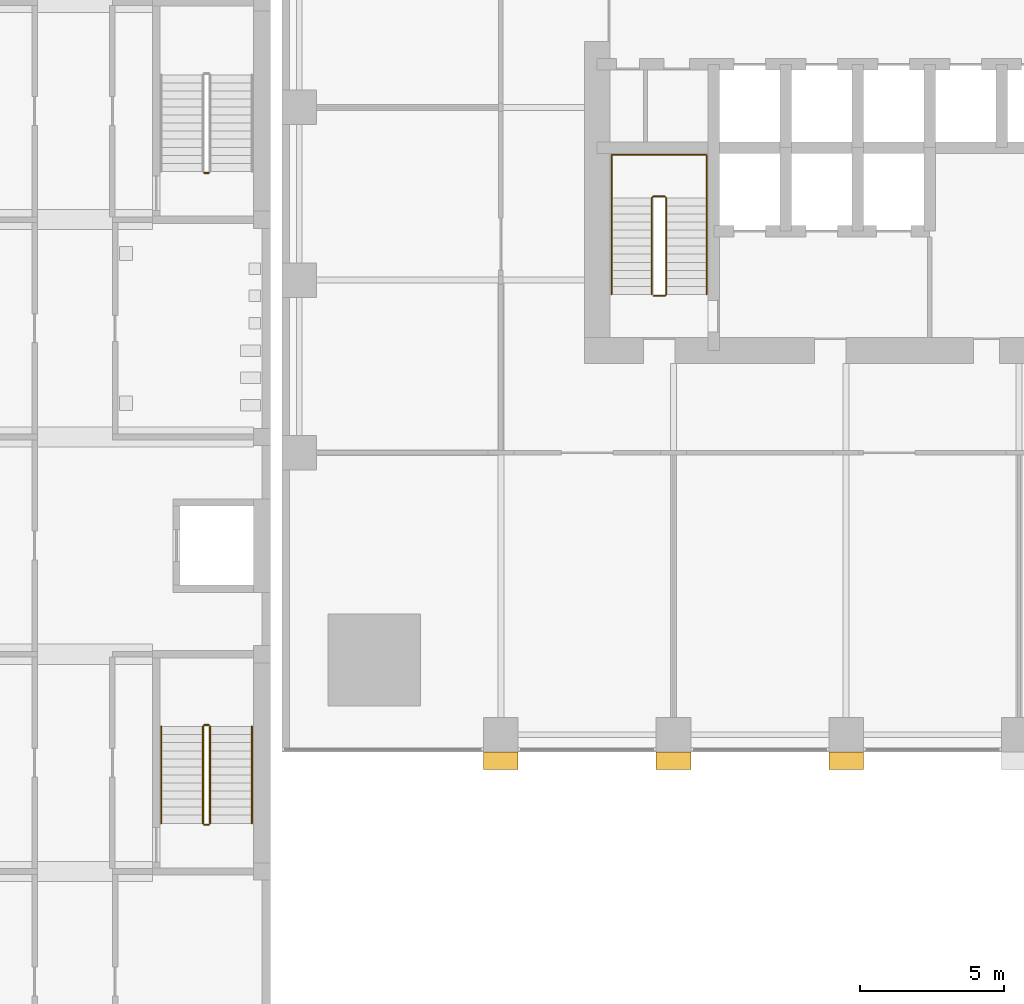
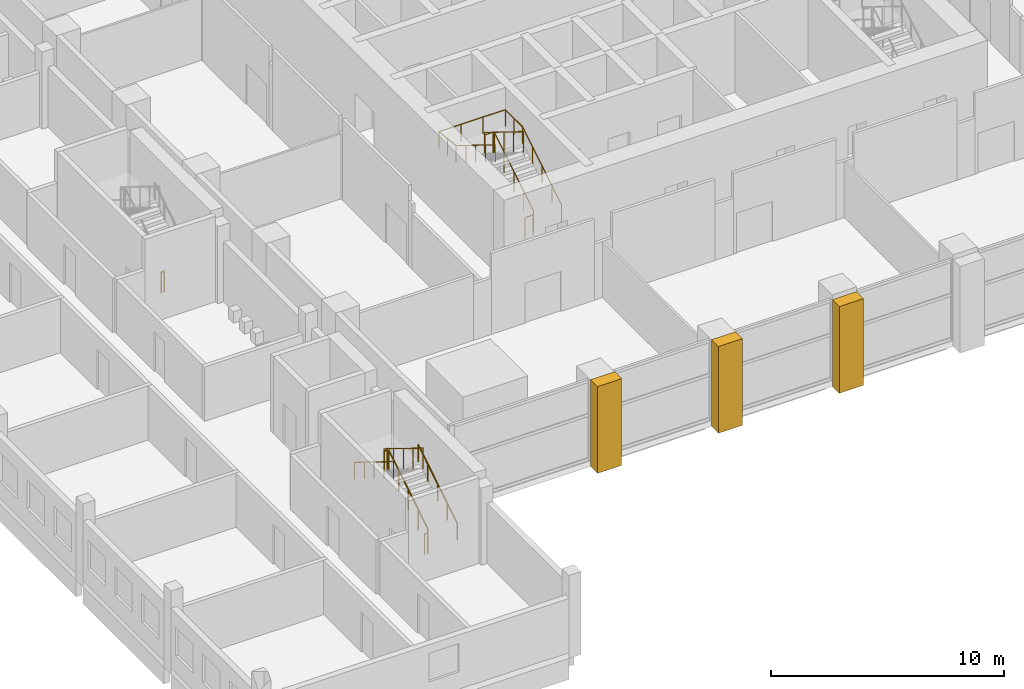
# One storey, part 19 of 24: 9 railings, 3 coverings.
"""IFC4 building model written with IfcOpenShell, lengths in metres."""

from ifc_helpers import new_model, si_unit, direction, frame, origin, origin_2d, place, context, subcontext, project, spatial, polyline, circle, outline, extrude, material, layer, layer_set, type_object, element, save


model = new_model("IFC4")

# Units and contexts
model_context = context("Model", 3, precision=1e-05, world=origin(), true_north=direction((0.0, 1.0)))
body_context = subcontext(model_context, "Body", "Model", "MODEL_VIEW")
ifc_project = project(units=[si_unit("LENGTHUNIT", "METRE"), si_unit("AREAUNIT", "SQUARE_METRE"), si_unit("VOLUMEUNIT", "CUBIC_METRE"), si_unit("PLANEANGLEUNIT", "RADIAN"), si_unit("MASSUNIT", "GRAM", prefix="KILO")], contexts=[model_context])

# Site, building, storey
site_placement = place(None, origin())
site = spatial("IfcSite", under=ifc_project, at=site_placement, CompositionType="ELEMENT")
building_placement = place(site_placement, origin())
building = spatial("IfcBuilding", under=site, at=building_placement, Name="Amberfall Residences", CompositionType="ELEMENT")
storey_placement = place(building_placement, frame((0.0, 0.0, 19.0)))
storey = spatial("IfcBuildingStorey", under=building, at=storey_placement, Name="L04", CompositionType="ELEMENT", Elevation=19.0)

# Coverings
ifc_material_1 = material(Name="Pale stone cladding on insulated backing", Category="masonry")
ifc_layer = layer(ifc_material_1, 1.199951171875)
ifc_layer_set = layer_set([ifc_layer], Name="Podium stone pier 1200 x 600")
covering_type = type_object("IfcCoveringType", Name="Podium stone pier 1200 x 600", PredefinedType="CLADDING", material=ifc_layer_set)
covering_1_placement = place(storey_placement, frame((0.0, 0.0, -0.300048828125)))
element("IfcCovering", 1, at=covering_1_placement, inside=storey, type_object=covering_type, Name="Podium pier L04 S1", PredefinedType="CLADDING", context=body_context, shape_type="SweptSolid", body=[
    extrude(outline(polyline([(59.0, 20.0), (60.199951171875, 20.0), (60.199951171875, 19.39990234375), (59.0, 19.39990234375), (59.0, 20.0)])), origin(), (0.0, 0.0, 1.0), 4.550048828125),
])
covering_2_placement = place(storey_placement, frame((0.0, 0.0, -0.300048828125)))
element("IfcCovering", 2, at=covering_2_placement, inside=storey, type_object=covering_type, Name="Podium pier L04 S2", PredefinedType="CLADDING", context=body_context, shape_type="SweptSolid", body=[
    extrude(outline(polyline([(65.0, 20.0), (66.199951171875, 20.0), (66.199951171875, 19.39990234375), (65.0, 19.39990234375), (65.0, 20.0)])), origin(), (0.0, 0.0, 1.0), 4.550048828125),
])
covering_3_placement = place(storey_placement, frame((0.0, 0.0, -0.300048828125)))
element("IfcCovering", 3, at=covering_3_placement, inside=storey, type_object=covering_type, Name="Podium pier L04 S3", PredefinedType="CLADDING", context=body_context, shape_type="SweptSolid", body=[
    extrude(outline(polyline([(71.0, 20.0), (72.199951171875, 20.0), (72.199951171875, 19.39990234375), (71.0, 19.39990234375), (71.0, 20.0)])), origin(), (0.0, 0.0, 1.0), 4.550048828125),
])

# Railings
ifc_material_2 = material(Name="Stainless steel", Category="steel")
railing_type_1 = type_object("IfcRailingType", Name="School stair guard 1100", PredefinedType="GUARDRAIL", material=ifc_material_2)
railing_1_placement = place(storey_placement, frame((49.5, 17.52490234375, 0.173095703125)))
element("IfcRailing", 4, at=railing_1_placement, inside=storey, type_object=railing_type_1, Name="L04 SS1 stair guard 1", PredefinedType="GUARDRAIL", context=body_context, shape_type="SweptSolid", body=[
    extrude(circle(Radius=0.02392578125, at=origin_2d()), frame((0.0, 0.0, 1.076171875), z_axis=(0.0, 0.850623216509, 0.525775754039), x_axis=(-1.0, 0.0, 0.0)), (0.0, 0.0, 1.0), 3.9501953125),
    extrude(circle(Radius=0.02099609375, at=origin_2d()), origin(), (0.0, 0.0, 1.0), 1.052001953125),
    extrude(circle(Radius=0.02099609375, at=origin_2d()), frame((0.0, 0.840087890625, 0.519287109375)), (0.0, 0.0, 1.0), 1.052001953125),
    extrude(circle(Radius=0.02099609375, at=origin_2d()), frame((0.0, 1.68017578125, 1.03857421875)), (0.0, 0.0, 1.0), 1.052001953125),
    extrude(circle(Radius=0.02099609375, at=origin_2d()), frame((0.0, 2.52001953125, 1.5576171875)), (0.0, 0.0, 1.0), 1.052001953125),
    extrude(circle(Radius=0.02099609375, at=origin_2d()), frame((0.0, 3.360107421875, 2.076904296875)), (0.0, 0.0, 1.0), 1.052001953125),
])
railing_2_placement = place(storey_placement, frame((49.449951171875, 20.93505859375, 2.25)))
element("IfcRailing", 5, at=railing_2_placement, inside=storey, type_object=railing_type_1, Name="L04 SS1 stair guard 2", PredefinedType="GUARDRAIL", context=body_context, shape_type="SweptSolid", body=[
    extrude(circle(Radius=0.02392578125, at=origin_2d()), frame((0.0, 0.0, 1.076171875), z_axis=(-1.0, 0.0, 0.0), x_axis=(0.0, -1.0, 0.0)), (0.0, 0.0, 1.0), 0.14990234375),
    extrude(circle(Radius=0.02099609375, at=origin_2d()), origin(), (0.0, 0.0, 1.0), 1.052001953125),
    extrude(circle(Radius=0.02099609375, at=origin_2d()), frame((-0.14990234375, 0.0, 0.0)), (0.0, 0.0, 1.0), 1.052001953125),
])
railing_3_placement = place(storey_placement, frame((49.25, 20.885009765625, 2.423095703125)))
element("IfcRailing", 6, at=railing_3_placement, inside=storey, type_object=railing_type_1, Name="L04 SS1 stair guard 3", PredefinedType="GUARDRAIL", context=body_context, shape_type="SweptSolid", body=[
    extrude(circle(Radius=0.02392578125, at=origin_2d()), frame((0.0, 0.0, 1.076171875), z_axis=(0.0, -0.850623216509, 0.525775754039), x_axis=(1.0, 0.0, 0.0)), (0.0, 0.0, 1.0), 3.9501953125),
    extrude(circle(Radius=0.02099609375, at=origin_2d()), origin(), (0.0, 0.0, 1.0), 1.052001953125),
    extrude(circle(Radius=0.02099609375, at=origin_2d()), frame((0.0, -0.840087890625, 0.519287109375)), (0.0, 0.0, 1.0), 1.052001953125),
    extrude(circle(Radius=0.02099609375, at=origin_2d()), frame((0.0, -1.68017578125, 1.03857421875)), (0.0, 0.0, 1.0), 1.052001953125),
    extrude(circle(Radius=0.02099609375, at=origin_2d()), frame((0.0, -2.52001953125, 1.5576171875)), (0.0, 0.0, 1.0), 1.052001953125),
    extrude(circle(Radius=0.02099609375, at=origin_2d()), frame((0.0, -3.360107421875, 2.076904296875)), (0.0, 0.0, 1.0), 1.052001953125),
])
for number, where, name in (
    (7, (49.449951171875, 17.47509765625, 0.0), "L04 SS1 stair guard 4"),
    (8, (49.449951171875, 40.125, 0.0), "L04 SS2 stair guard 4"),
):
    element("IfcRailing", number, at=place(storey_placement, frame(where)), inside=storey, type_object=railing_type_1, Name=name, PredefinedType="GUARDRAIL", context=body_context, shape_type="SweptSolid", body=[
        extrude(circle(Radius=0.02392578125, at=origin_2d()), frame((0.0, 0.0, 1.076171875), z_axis=(-1.0, 0.0, 0.0), x_axis=(0.0, -1.0, 0.0)), (0.0, 0.0, 1.0), 0.14990234375),
        extrude(circle(Radius=0.02099609375, at=origin_2d()), origin(), (0.0, 0.0, 1.0), 1.052001953125),
        extrude(circle(Radius=0.02099609375, at=origin_2d()), frame((-0.14990234375, 0.0, 0.0)), (0.0, 0.0, 1.0), 1.052001953125),
    ])
railing_type_2 = type_object("IfcRailingType", Name="School stair handrail", PredefinedType="HANDRAIL", material=ifc_material_2)
railing_4_placement = place(storey_placement, frame((50.949951171875, 17.52490234375, 0.173095703125)))
element("IfcRailing", 9, at=railing_4_placement, inside=storey, type_object=railing_type_2, Name="L04 SS1 stair handrail 1", PredefinedType="HANDRAIL", context=body_context, shape_type="SweptSolid", body=[
    extrude(circle(Radius=0.02392578125, at=origin_2d()), frame((0.0, 0.0, 0.8759765625), z_axis=(0.0, 0.850623216509, 0.525775754039), x_axis=(-1.0, 0.0, 0.0)), (0.0, 0.0, 1.0), 3.9501953125),
    extrude(circle(Radius=0.02099609375, at=origin_2d()), origin(), (0.0, 0.0, 1.0), 0.851806640625),
    extrude(circle(Radius=0.02099609375, at=origin_2d()), frame((0.0, 0.840087890625, 0.519287109375)), (0.0, 0.0, 1.0), 0.851806640625),
    extrude(circle(Radius=0.02099609375, at=origin_2d()), frame((0.0, 1.68017578125, 1.03857421875)), (0.0, 0.0, 1.0), 0.851806640625),
    extrude(circle(Radius=0.02099609375, at=origin_2d()), frame((0.0, 2.52001953125, 1.5576171875)), (0.0, 0.0, 1.0), 0.851806640625),
    extrude(circle(Radius=0.02099609375, at=origin_2d()), frame((0.0, 3.360107421875, 2.076904296875)), (0.0, 0.0, 1.0), 0.851806640625),
])
railing_5_placement = place(storey_placement, frame((47.800048828125, 20.885009765625, 2.423095703125)))
element("IfcRailing", 10, at=railing_5_placement, inside=storey, type_object=railing_type_2, Name="L04 SS1 stair handrail 2", PredefinedType="HANDRAIL", context=body_context, shape_type="SweptSolid", body=[
    extrude(circle(Radius=0.02392578125, at=origin_2d()), frame((0.0, 0.0, 0.8759765625), z_axis=(0.0, -0.850623216509, 0.525775754039), x_axis=(1.0, 0.0, 0.0)), (0.0, 0.0, 1.0), 3.9501953125),
    extrude(circle(Radius=0.02099609375, at=origin_2d()), origin(), (0.0, 0.0, 1.0), 0.851806640625),
    extrude(circle(Radius=0.02099609375, at=origin_2d()), frame((0.0, -0.840087890625, 0.519287109375)), (0.0, 0.0, 1.0), 0.851806640625),
    extrude(circle(Radius=0.02099609375, at=origin_2d()), frame((0.0, -1.68017578125, 1.03857421875)), (0.0, 0.0, 1.0), 0.851806640625),
    extrude(circle(Radius=0.02099609375, at=origin_2d()), frame((0.0, -2.52001953125, 1.5576171875)), (0.0, 0.0, 1.0), 0.851806640625),
    extrude(circle(Radius=0.02099609375, at=origin_2d()), frame((0.0, -3.360107421875, 2.076904296875)), (0.0, 0.0, 1.0), 0.851806640625),
])
ifc_material_3 = material(Name="Stainless steel 316", Category="steel")
railing_type_3 = type_object("IfcRailingType", Name="Stair guard 1100", PredefinedType="GUARDRAIL", material=ifc_material_3)
railing_6_placement = place(storey_placement, frame((64.89990234375, 35.85009765625, 0.0)))
element("IfcRailing", 11, at=railing_6_placement, inside=storey, type_object=railing_type_3, Name="L04 stair 1 guard", PredefinedType="GUARDRAIL", context=body_context, shape_type="SweptSolid", body=[
    extrude(circle(Radius=0.02392578125, at=origin_2d()), frame((0.0, 0.0, 1.076171875), z_axis=(1.0, 0.0, 0.0), x_axis=(0.0, 1.0, 0.0)), (0.0, 0.0, 1.0), 0.400146484375),
    extrude(circle(Radius=0.02392578125, at=origin_2d()), frame((0.400146484375, 0.0, 1.076171875), z_axis=(0.267723051232, 0.266417085129, 0.925929967433), x_axis=(-0.705375805398, 0.708833529934, 0.0)), (0.0, 0.0, 1.0), 0.18701171875),
    extrude(circle(Radius=0.02392578125, at=origin_2d()), frame((0.4501953125, 0.0498046875, 1.2490234375), z_axis=(0.0, 0.850623216509, 0.525775754039), x_axis=(-1.0, 0.0, 0.0)), (0.0, 0.0, 1.0), 3.9501953125),
    extrude(circle(Radius=0.02392578125, at=origin_2d()), frame((0.4501953125, 3.409912109375, 3.326171875), z_axis=(-0.707106781187, 0.707106781187, 0.0), x_axis=(-0.707106781187, -0.707106781187, 0.0)), (0.0, 0.0, 1.0), 0.07080078125),
    extrude(circle(Radius=0.02392578125, at=origin_2d()), frame((0.400146484375, 3.4599609375, 3.326171875), z_axis=(-1.0, 0.0, 0.0), x_axis=(0.0, -1.0, 0.0)), (0.0, 0.0, 1.0), 0.400146484375),
    extrude(circle(Radius=0.02392578125, at=origin_2d()), frame((0.0, 3.4599609375, 3.326171875), z_axis=(-0.266417085129, -0.267723051232, 0.925929967433), x_axis=(0.708833529934, -0.705375805398, 0.0)), (0.0, 0.0, 1.0), 0.18701171875),
    extrude(circle(Radius=0.02392578125, at=origin_2d()), frame((-0.0498046875, 3.409912109375, 3.4990234375), z_axis=(0.0, -0.850623216509, 0.525775754039), x_axis=(1.0, 0.0, 0.0)), (0.0, 0.0, 1.0), 3.9501953125),
    extrude(circle(Radius=0.02099609375, at=origin_2d()), origin(), (0.0, 0.0, 1.0), 1.052001953125),
    extrude(circle(Radius=0.02099609375, at=origin_2d()), frame((0.400146484375, 0.0, 0.0)), (0.0, 0.0, 1.0), 1.052001953125),
    extrude(circle(Radius=0.02099609375, at=origin_2d()), frame((0.4501953125, 0.0498046875, 0.173095703125)), (0.0, 0.0, 1.0), 1.052001953125),
    extrude(circle(Radius=0.02099609375, at=origin_2d()), frame((0.4501953125, 0.889892578125, 0.6923828125)), (0.0, 0.0, 1.0), 1.052001953125),
    extrude(circle(Radius=0.02099609375, at=origin_2d()), frame((0.4501953125, 1.72998046875, 1.21142578125)), (0.0, 0.0, 1.0), 1.052001953125),
    extrude(circle(Radius=0.02099609375, at=origin_2d()), frame((0.4501953125, 2.56982421875, 1.730712890625)), (0.0, 0.0, 1.0), 1.052001953125),
    extrude(circle(Radius=0.02099609375, at=origin_2d()), frame((0.4501953125, 3.409912109375, 2.25)), (0.0, 0.0, 1.0), 1.052001953125),
    extrude(circle(Radius=0.02099609375, at=origin_2d()), frame((0.400146484375, 3.4599609375, 2.25)), (0.0, 0.0, 1.0), 1.052001953125),
    extrude(circle(Radius=0.02099609375, at=origin_2d()), frame((0.0, 3.4599609375, 2.25)), (0.0, 0.0, 1.0), 1.052001953125),
    extrude(circle(Radius=0.02099609375, at=origin_2d()), frame((-0.0498046875, 3.409912109375, 2.423095703125)), (0.0, 0.0, 1.0), 1.052001953125),
    extrude(circle(Radius=0.02099609375, at=origin_2d()), frame((-0.0498046875, 2.56982421875, 2.9423828125)), (0.0, 0.0, 1.0), 1.052001953125),
    extrude(circle(Radius=0.02099609375, at=origin_2d()), frame((-0.0498046875, 1.72998046875, 3.46142578125)), (0.0, 0.0, 1.0), 1.052001953125),
    extrude(circle(Radius=0.02099609375, at=origin_2d()), frame((-0.0498046875, 0.889892578125, 3.980712890625)), (0.0, 0.0, 1.0), 1.052001953125),
    extrude(circle(Radius=0.02099609375, at=origin_2d()), frame((-0.0498046875, 0.0498046875, 4.5)), (0.0, 0.0, 1.0), 1.052001953125),
])
railing_type_4 = type_object("IfcRailingType", Name="Stair handrail 900", PredefinedType="HANDRAIL", material=ifc_material_3)
railing_7_placement = place(storey_placement, frame((66.75, 35.89990234375, 0.173095703125)))
element("IfcRailing", 12, at=railing_7_placement, inside=storey, type_object=railing_type_4, Name="L04 stair 1 handrail", PredefinedType="HANDRAIL", context=body_context, shape_type="SweptSolid", body=[
    extrude(circle(Radius=0.02392578125, at=origin_2d()), frame((0.0, 0.0, 0.8759765625), z_axis=(0.0, 0.850623216509, 0.525775754039), x_axis=(-1.0, 0.0, 0.0)), (0.0, 0.0, 1.0), 3.9501953125),
    extrude(circle(Radius=0.02392578125, at=origin_2d()), frame((0.0, 3.360107421875, 2.95263671875), z_axis=(0.0, 1.0, 0.0), x_axis=(-1.0, 0.0, 0.0)), (0.0, 0.0, 1.0), 1.489990234375),
    extrude(circle(Radius=0.02392578125, at=origin_2d()), frame((0.0, 4.85009765625, 2.95263671875), z_axis=(-1.0, 0.0, 0.0), x_axis=(0.0, -1.0, 0.0)), (0.0, 0.0, 1.0), 3.300048828125),
    extrude(circle(Radius=0.02392578125, at=origin_2d()), frame((-3.300048828125, 4.85009765625, 2.95263671875), z_axis=(0.0, -0.993319533971, 0.115396288642), x_axis=(1.0, 0.0, 0.0)), (0.0, 0.0, 1.0), 1.5),
    extrude(circle(Radius=0.02392578125, at=origin_2d()), frame((-3.300048828125, 3.360107421875, 3.1259765625), z_axis=(0.0, -0.850623216509, 0.525775754039), x_axis=(1.0, 0.0, 0.0)), (0.0, 0.0, 1.0), 3.9501953125),
    extrude(circle(Radius=0.02099609375, at=origin_2d()), origin(), (0.0, 0.0, 1.0), 0.851806640625),
    extrude(circle(Radius=0.02099609375, at=origin_2d()), frame((0.0, 0.840087890625, 0.519287109375)), (0.0, 0.0, 1.0), 0.851806640625),
    extrude(circle(Radius=0.02099609375, at=origin_2d()), frame((0.0, 1.68017578125, 1.03857421875)), (0.0, 0.0, 1.0), 0.851806640625),
    extrude(circle(Radius=0.02099609375, at=origin_2d()), frame((0.0, 2.52001953125, 1.5576171875)), (0.0, 0.0, 1.0), 0.851806640625),
    extrude(circle(Radius=0.02099609375, at=origin_2d()), frame((0.0, 3.360107421875, 2.076904296875)), (0.0, 0.0, 1.0), 0.851806640625),
    extrude(circle(Radius=0.02099609375, at=origin_2d()), frame((0.0, 4.10498046875, 2.076904296875)), (0.0, 0.0, 1.0), 0.851806640625),
    extrude(circle(Radius=0.02099609375, at=origin_2d()), frame((0.0, 4.85009765625, 2.076904296875)), (0.0, 0.0, 1.0), 0.851806640625),
    extrude(circle(Radius=0.02099609375, at=origin_2d()), frame((-1.10009765625, 4.85009765625, 2.076904296875)), (0.0, 0.0, 1.0), 0.851806640625),
    extrude(circle(Radius=0.02099609375, at=origin_2d()), frame((-2.199951171875, 4.85009765625, 2.076904296875)), (0.0, 0.0, 1.0), 0.851806640625),
    extrude(circle(Radius=0.02099609375, at=origin_2d()), frame((-3.300048828125, 4.85009765625, 2.076904296875)), (0.0, 0.0, 1.0), 0.851806640625),
    extrude(circle(Radius=0.02099609375, at=origin_2d()), frame((-3.300048828125, 4.10498046875, 2.16357421875)), (0.0, 0.0, 1.0), 0.851806640625),
    extrude(circle(Radius=0.02099609375, at=origin_2d()), frame((-3.300048828125, 3.360107421875, 2.25)), (0.0, 0.0, 1.0), 0.851806640625),
    extrude(circle(Radius=0.02099609375, at=origin_2d()), frame((-3.300048828125, 2.52001953125, 2.769287109375)), (0.0, 0.0, 1.0), 0.851806640625),
    extrude(circle(Radius=0.02099609375, at=origin_2d()), frame((-3.300048828125, 1.68017578125, 3.28857421875)), (0.0, 0.0, 1.0), 0.851806640625),
    extrude(circle(Radius=0.02099609375, at=origin_2d()), frame((-3.300048828125, 0.840087890625, 3.8076171875)), (0.0, 0.0, 1.0), 0.851806640625),
    extrude(circle(Radius=0.02099609375, at=origin_2d()), frame((-3.300048828125, 0.0, 4.326904296875)), (0.0, 0.0, 1.0), 0.851806640625),
])

save(model, "model.ifc")
